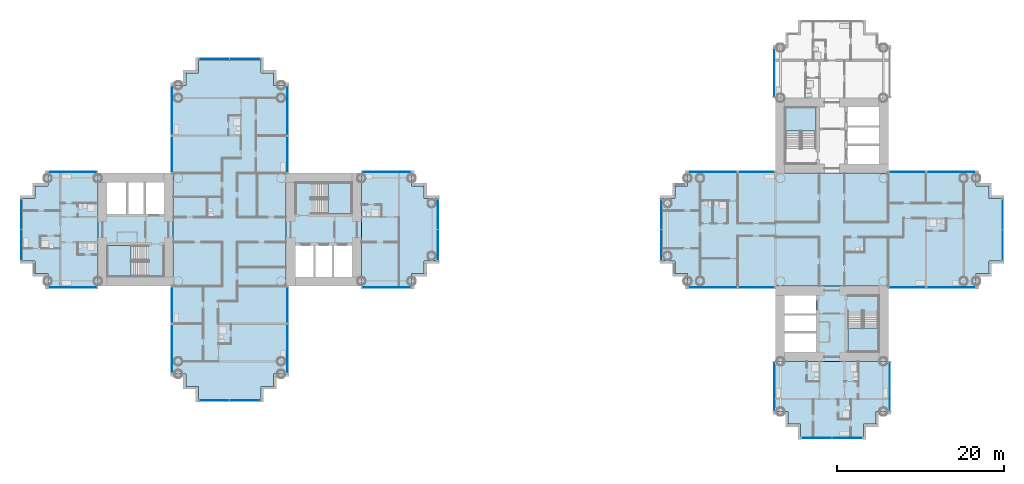
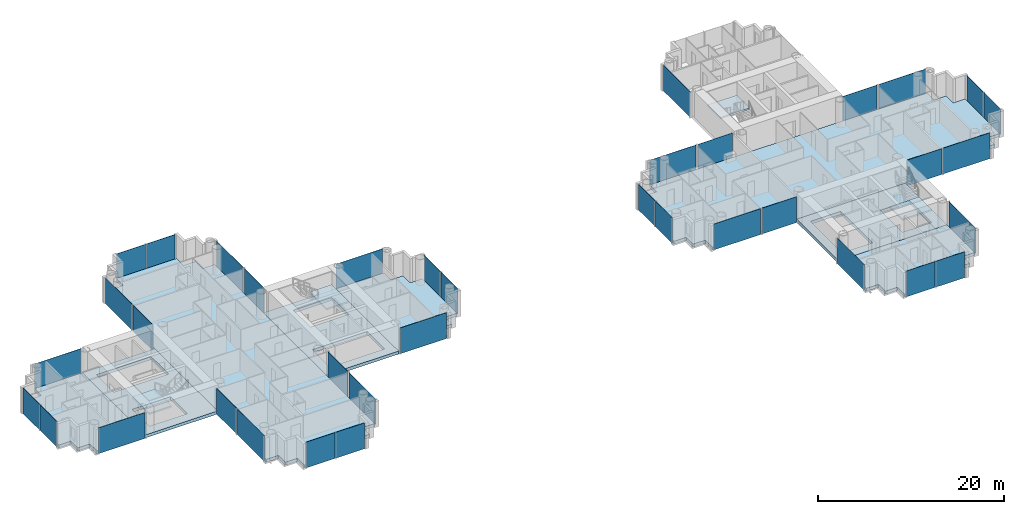
# One storey, part 7 of 22: 37 plates, 12 slabs, 34 elements without a shape of their own.
"""IFC4 building model written with IfcOpenShell, lengths in metres."""

from ifc_helpers import new_model, si_unit, direction, frame, origin, origin_2d, place, context, subcontext, project, spatial, polyline, rectangle, outline, extrude, material, layer, layer_set, type_object, element, aggregate, save


model = new_model("IFC4")

# Units and contexts
model_context = context("Model", 3, precision=1e-05, world=origin(), true_north=direction((0.0, 1.0)))
body_context = subcontext(model_context, "Body", "Model", "MODEL_VIEW")
ifc_project = project(units=[si_unit("LENGTHUNIT", "METRE"), si_unit("AREAUNIT", "SQUARE_METRE"), si_unit("VOLUMEUNIT", "CUBIC_METRE"), si_unit("PLANEANGLEUNIT", "RADIAN"), si_unit("MASSUNIT", "GRAM", prefix="KILO")], contexts=[model_context])

# Site, building, storey
site_placement = place(None, origin())
site = spatial("IfcSite", under=ifc_project, at=site_placement, CompositionType="ELEMENT")
building_placement = place(site_placement, origin())
building = spatial("IfcBuilding", under=site, at=building_placement, Name="Ipe Terrace Towers", CompositionType="ELEMENT")
storey_placement = place(building_placement, frame((0.0, 0.0, 55.10009765625)))
storey = spatial("IfcBuildingStorey", under=building, at=storey_placement, Name="L14", CompositionType="ELEMENT", Elevation=55.10009765625)

# Slabs
ifc_material_1 = material(Name="Concrete C30/37", Category="concrete")
ifc_layer_1 = layer(ifc_material_1, 0.39990234375)
ifc_layer_set_1 = layer_set([ifc_layer_1], Name="CORE FLOOR SLAB 400 C30-37")
slab_type_1 = type_object("IfcSlabType", Name="CORE FLOOR SLAB 400 C30-37", PredefinedType="FLOOR", material=ifc_layer_set_1)
slab_1_placement = place(storey_placement, frame((0.0, 0.0, -0.400146484375)))
element("IfcSlab", 1, at=slab_1_placement, inside=storey, type_object=slab_type_1, Name="Core floor T1-C1", PredefinedType="FLOOR", context=body_context, shape_type="SweptSolid", body=[
    extrude(outline(polyline([(-29.25, -6.75), (-29.25, 6.75), (-20.25, 6.75), (-20.25, -6.75), (-29.25, -6.75)]), holes=[polyline([(-28.14990234375, -5.64990234375), (-21.35009765625, -5.64990234375), (-21.35009765625, -1.89990234375), (-28.14990234375, -1.89990234375), (-28.14990234375, -5.64990234375)]), polyline([(-26.199951171875, 5.550048828125), (-26.199951171875, 1.89990234375), (-21.449951171875, 1.89990234375), (-21.449951171875, 5.550048828125), (-26.199951171875, 5.550048828125)])]), origin(), (0.0, 0.0, 1.0), 0.400146484375),
])
slab_2_placement = place(storey_placement, frame((0.0, 0.0, -0.400146484375)))
element("IfcSlab", 2, at=slab_2_placement, inside=storey, type_object=slab_type_1, Name="Core floor T1-C2", PredefinedType="FLOOR", context=body_context, shape_type="SweptSolid", body=[
    extrude(outline(polyline([(-51.75, -6.75), (-51.75, 6.75), (-42.75, 6.75), (-42.75, -6.75), (-51.75, -6.75)]), holes=[polyline([(-45.800048828125, -5.550048828125), (-45.800048828125, -1.89990234375), (-50.550048828125, -1.89990234375), (-50.550048828125, -5.550048828125), (-45.800048828125, -5.550048828125)]), polyline([(-50.64990234375, 1.89990234375), (-43.85009765625, 1.89990234375), (-43.85009765625, 5.64990234375), (-50.64990234375, 5.64990234375), (-50.64990234375, 1.89990234375)])]), origin(), (0.0, 0.0, 1.0), 0.400146484375),
])
slab_3_placement = place(storey_placement, frame((0.0, 0.0, -0.400146484375)))
element("IfcSlab", 3, at=slab_3_placement, inside=storey, type_object=slab_type_1, Name="Core floor T2-C2", PredefinedType="FLOOR", context=body_context, shape_type="SweptSolid", body=[
    extrude(outline(polyline([(29.25, -15.75), (29.25, -6.75), (42.75, -6.75), (42.75, -15.75), (29.25, -15.75)]), holes=[polyline([(34.10009765625, -14.64990234375), (34.10009765625, -7.85009765625), (30.35009765625, -7.85009765625), (30.35009765625, -14.64990234375), (34.10009765625, -14.64990234375)]), polyline([(41.550048828125, -9.800048828125), (37.89990234375, -9.800048828125), (37.89990234375, -14.550048828125), (41.550048828125, -14.550048828125), (41.550048828125, -9.800048828125)])]), origin(), (0.0, 0.0, 1.0), 0.400146484375),
])

# Stair, slab
ifc_material_2 = material(Name="Concrete C30/37", Category="concrete")
stair_type = type_object("IfcStairType", Name="Protected exit stair", PredefinedType="HALF_TURN_STAIR", material=ifc_material_2)
stair_1_placement = place(storey_placement, origin())
stair_1 = element("IfcStair", 4, at=stair_1_placement, inside=storey, type_object=stair_type, Name="L14 Exit stair T1-C1", PredefinedType="HALF_TURN_STAIR")
ifc_material_3 = material(Name="Concrete C30/37", Category="concrete")
ifc_layer_2 = layer(ifc_material_3, 0.199951171875)
ifc_layer_set_2 = layer_set([ifc_layer_2], Name="Exit stair landing 200")
slab_type_2 = type_object("IfcSlabType", Name="Exit stair landing 200", PredefinedType="LANDING", material=ifc_layer_set_2)
slab_4_placement = place(storey_placement, frame((0.0, 0.0, 1.5)))
slab_4 = element("IfcSlab", 5, at=slab_4_placement, type_object=slab_type_2, Name="T1-ST1 landing 1", PredefinedType="LANDING", context=body_context, shape_type="SweptSolid", body=[
    extrude(outline(polyline([(-24.219970703125, 1.89990234375), (-21.449951171875, 1.89990234375), (-21.449951171875, 5.550048828125), (-24.219970703125, 5.550048828125), (-24.219970703125, 1.89990234375)])), origin(), (0.0, 0.0, 1.0), 0.199951171875),
])
aggregate(stair_1, [slab_4])

stair_2_placement = place(storey_placement, origin())
stair_2 = element("IfcStair", 6, at=stair_2_placement, inside=storey, type_object=stair_type, Name="L14 Exit stair T1-C2", PredefinedType="HALF_TURN_STAIR")
slab_5_placement = place(storey_placement, frame((0.0, 0.0, 1.5)))
slab_5 = element("IfcSlab", 7, at=slab_5_placement, type_object=slab_type_2, Name="T1-ST2 landing 1", PredefinedType="LANDING", context=body_context, shape_type="SweptSolid", body=[
    extrude(outline(polyline([(-47.780029296875, -1.89990234375), (-50.550048828125, -1.89990234375), (-50.550048828125, -5.550048828125), (-47.780029296875, -5.550048828125), (-47.780029296875, -1.89990234375)])), origin(), (0.0, 0.0, 1.0), 0.199951171875),
])
aggregate(stair_2, [slab_5])

stair_3_placement = place(storey_placement, origin())
stair_3 = element("IfcStair", 8, at=stair_3_placement, inside=storey, type_object=stair_type, Name="L14 Exit stair T2-C1", PredefinedType="HALF_TURN_STAIR")
slab_6_placement = place(storey_placement, frame((0.0, 0.0, 1.5)))
slab_6 = element("IfcSlab", 9, at=slab_6_placement, type_object=slab_type_2, Name="T2-ST1 landing 1", PredefinedType="LANDING", context=body_context, shape_type="SweptSolid", body=[
    extrude(outline(polyline([(34.10009765625, 11.780029296875), (34.10009765625, 14.550048828125), (30.449951171875, 14.550048828125), (30.449951171875, 11.780029296875), (34.10009765625, 11.780029296875)])), origin(), (0.0, 0.0, 1.0), 0.199951171875),
])
aggregate(stair_3, [slab_6])

stair_4_placement = place(storey_placement, origin())
stair_4 = element("IfcStair", 10, at=stair_4_placement, inside=storey, type_object=stair_type, Name="L14 Exit stair T2-C2", PredefinedType="HALF_TURN_STAIR")
slab_7_placement = place(storey_placement, frame((0.0, 0.0, 1.5)))
slab_7 = element("IfcSlab", 11, at=slab_7_placement, type_object=slab_type_2, Name="T2-ST2 landing 1", PredefinedType="LANDING", context=body_context, shape_type="SweptSolid", body=[
    extrude(outline(polyline([(37.89990234375, -11.780029296875), (37.89990234375, -14.550048828125), (41.550048828125, -14.550048828125), (41.550048828125, -11.780029296875), (37.89990234375, -11.780029296875)])), origin(), (0.0, 0.0, 1.0), 0.199951171875),
])
aggregate(stair_4, [slab_7])

# Slabs
ifc_material_4 = material(Name="Concrete C40/50", Category="concrete")
ifc_layer_3 = layer(ifc_material_4, 0.39990234375)
ifc_layer_set_3 = layer_set([ifc_layer_3], Name="FLAT PLATE SLAB 400 C40-50")
slab_type_3 = type_object("IfcSlabType", Name="FLAT PLATE SLAB 400 C40-50", PredefinedType="FLOOR", material=ifc_layer_set_3)
slab_8_placement = place(storey_placement, frame((0.0, 0.0, -0.400146484375)))
element("IfcSlab", 12, at=slab_8_placement, inside=storey, type_object=slab_type_3, Name="Slab T1-FS-Z11", PredefinedType="FLOOR", context=body_context, shape_type="SweptSolid", body=[
    extrude(outline(polyline([(-30.75, -17.25), (-30.75, -18.75), (-32.25, -18.75), (-32.25, -20.25), (-39.75, -20.25), (-39.75, -18.75), (-41.25, -18.75), (-41.25, -17.25), (-42.75, -17.25), (-42.75, -6.75), (-42.75, 6.75), (-42.75, 17.25), (-41.25, 17.25), (-41.25, 18.75), (-39.75, 18.75), (-39.75, 20.25), (-32.25, 20.25), (-32.25, 18.75), (-30.75, 18.75), (-30.75, 17.25), (-29.25, 17.25), (-29.25, 6.75), (-29.25, -6.75), (-29.25, -17.25), (-30.75, -17.25)])), origin(), (0.0, 0.0, 1.0), 0.400146484375),
])
slab_9_placement = place(storey_placement, frame((0.0, 0.0, -0.400146484375)))
element("IfcSlab", 13, at=slab_9_placement, inside=storey, type_object=slab_type_3, Name="Slab T1-FS-Z12", PredefinedType="FLOOR", context=body_context, shape_type="SweptSolid", body=[
    extrude(outline(polyline([(-57.75, -6.75), (-57.75, -5.25), (-59.25, -5.25), (-59.25, -3.75), (-60.75, -3.75), (-60.75, 3.75), (-59.25, 3.75), (-59.25, 5.25), (-57.75, 5.25), (-57.75, 6.75), (-51.75, 6.75), (-51.75, -6.75), (-57.75, -6.75)])), origin(), (0.0, 0.0, 1.0), 0.400146484375),
])
slab_10_placement = place(storey_placement, frame((0.0, 0.0, -0.400146484375)))
element("IfcSlab", 14, at=slab_10_placement, inside=storey, type_object=slab_type_3, Name="Slab T1-FS-Z13", PredefinedType="FLOOR", context=body_context, shape_type="SweptSolid", body=[
    extrude(outline(polyline([(-14.25, 5.25), (-12.75, 5.25), (-12.75, 3.75), (-11.25, 3.75), (-11.25, -3.75), (-12.75, -3.75), (-12.75, -5.25), (-14.25, -5.25), (-14.25, -6.75), (-20.25, -6.75), (-20.25, 6.75), (-14.25, 6.75), (-14.25, 5.25)])), origin(), (0.0, 0.0, 1.0), 0.400146484375),
])
slab_11_placement = place(storey_placement, frame((0.0, 0.0, -0.400146484375)))
element("IfcSlab", 15, at=slab_11_placement, inside=storey, type_object=slab_type_3, Name="Slab T2-FS-Z11", PredefinedType="FLOOR", context=body_context, shape_type="SweptSolid", body=[
    extrude(outline(polyline([(53.25, 5.25), (54.75, 5.25), (54.75, 3.75), (56.25, 3.75), (56.25, -3.75), (54.75, -3.75), (54.75, -5.25), (53.25, -5.25), (53.25, -6.75), (42.75, -6.75), (29.25, -6.75), (18.75, -6.75), (18.75, -5.25), (17.25, -5.25), (17.25, -3.75), (15.75, -3.75), (15.75, 3.75), (17.25, 3.75), (17.25, 5.25), (18.75, 5.25), (18.75, 6.75), (29.25, 6.75), (42.75, 6.75), (53.25, 6.75), (53.25, 5.25)])), origin(), (0.0, 0.0, 1.0), 0.400146484375),
])
slab_12_placement = place(storey_placement, frame((0.0, 0.0, -0.400146484375)))
element("IfcSlab", 16, at=slab_12_placement, inside=storey, type_object=slab_type_3, Name="Slab T2-FS-Z12", PredefinedType="FLOOR", context=body_context, shape_type="SweptSolid", body=[
    extrude(outline(polyline([(42.75, -21.75), (41.25, -21.75), (41.25, -23.25), (39.75, -23.25), (39.75, -24.75), (32.25, -24.75), (32.25, -23.25), (30.75, -23.25), (30.75, -21.75), (29.25, -21.75), (29.25, -15.75), (42.75, -15.75), (42.75, -21.75)])), origin(), (0.0, 0.0, 1.0), 0.400146484375),
])

# Curtain wall, plate
ifc_material_5 = material(Name="Aluminium alloy 6063-T6", Category="aluminium")
ifc_layer_4 = layer(ifc_material_5, 0.320068359375)
ifc_layer_set_4 = layer_set([ifc_layer_4], Name="TOWER UNITISED CURTAIN WALL")
curtain_wall_type = type_object("IfcCurtainWallType", Name="TOWER UNITISED CURTAIN WALL", PredefinedType="NOTDEFINED", material=ifc_layer_set_4)
curtain_wall_1_placement = place(storey_placement, origin())
curtain_wall_1 = element("IfcCurtainWall", 17, at=curtain_wall_1_placement, inside=storey, type_object=curtain_wall_type, Name="T1-CW-L14-04a curtain wall", PredefinedType="NOTDEFINED")
ifc_material_6 = material(Name="Glass, clear laminated", Category="glass")
ifc_layer_5 = layer(ifc_material_6, 0.031982421875)
ifc_layer_set_5 = layer_set([ifc_layer_5], Name="TOWER UNITISED GLASS PANEL 32")
plate_type = type_object("IfcPlateType", Name="TOWER UNITISED GLASS PANEL 32", PredefinedType="CURTAIN_PANEL", material=ifc_layer_set_5)
plate_1_placement = place(storey_placement, frame((-54.75048828125, -6.909912109375, -0.300048828125), z_axis=(0.0, 0.0, 1.0), x_axis=(1.0, 0.0, 0.0)))
plate_1 = element("IfcPlate", 18, at=plate_1_placement, type_object=plate_type, Name="T1-CW-L14-04a panel 1", PredefinedType="CURTAIN_PANEL", context=body_context, shape_type="SweptSolid", body=[
    extrude(rectangle(XDim=5.759033203125, YDim=0.031982421875, at=origin_2d()), origin(), (0.0, 0.0, 1.0), 3.39990234375),
])
aggregate(curtain_wall_1, [plate_1])

curtain_wall_2_placement = place(storey_placement, origin())
curtain_wall_2 = element("IfcCurtainWall", 19, at=curtain_wall_2_placement, inside=storey, type_object=curtain_wall_type, Name="T1-CW-L14-06a curtain wall", PredefinedType="NOTDEFINED")
plate_2_placement = place(storey_placement, frame((-42.909912109375, -9.0, -0.300048828125), z_axis=(0.0, 0.0, 1.0), x_axis=(0.0, -1.0, 0.0)))
plate_2 = element("IfcPlate", 20, at=plate_2_placement, type_object=plate_type, Name="T1-CW-L14-06a panel 1", PredefinedType="CURTAIN_PANEL", context=body_context, shape_type="SweptSolid", body=[
    extrude(rectangle(XDim=4.260009765625, YDim=0.031982421875, at=origin_2d()), origin(), (0.0, 0.0, 1.0), 3.39990234375),
])
aggregate(curtain_wall_2, [plate_2])

curtain_wall_3_placement = place(storey_placement, origin())
curtain_wall_3 = element("IfcCurtainWall", 21, at=curtain_wall_3_placement, inside=storey, type_object=curtain_wall_type, Name="T1-CW-L14-07a curtain wall", PredefinedType="NOTDEFINED")
plate_3_placement = place(storey_placement, frame((-42.909912109375, -14.25, -0.300048828125), z_axis=(0.0, 0.0, 1.0), x_axis=(0.0, -1.0, 0.0)))
plate_3 = element("IfcPlate", 22, at=plate_3_placement, type_object=plate_type, Name="T1-CW-L14-07a panel 1", PredefinedType="CURTAIN_PANEL", context=body_context, shape_type="SweptSolid", body=[
    extrude(rectangle(XDim=5.760009765625, YDim=0.031982421875, at=origin_2d()), origin(), (0.0, 0.0, 1.0), 3.39990234375),
])
aggregate(curtain_wall_3, [plate_3])

# Curtain wall, plates
curtain_wall_4_placement = place(storey_placement, origin())
curtain_wall_4 = element("IfcCurtainWall", 23, at=curtain_wall_4_placement, inside=storey, type_object=curtain_wall_type, Name="T1-CW-L14-12a curtain wall", PredefinedType="NOTDEFINED")
plate_4_placement = place(storey_placement, frame((-37.831298828125, -20.409912109375, -0.300048828125), z_axis=(0.0, 0.0, 1.0), x_axis=(1.0, 0.0, 0.0)))
plate_4 = element("IfcPlate", 24, at=plate_4_placement, type_object=plate_type, Name="T1-CW-L14-12a panel 1", PredefinedType="CURTAIN_PANEL", context=body_context, shape_type="SweptSolid", body=[
    extrude(rectangle(XDim=3.597412109375, YDim=0.031982421875, at=origin_2d()), origin(), (0.0, 0.0, 1.0), 3.39990234375),
])
plate_5_placement = place(storey_placement, frame((-34.168701171875, -20.409912109375, -0.300048828125), z_axis=(0.0, 0.0, 1.0), x_axis=(1.0, 0.0, 0.0)))
plate_5 = element("IfcPlate", 25, at=plate_5_placement, type_object=plate_type, Name="T1-CW-L14-12a panel 2", PredefinedType="CURTAIN_PANEL", context=body_context, shape_type="SweptSolid", body=[
    extrude(rectangle(XDim=3.597412109375, YDim=0.031982421875, at=origin_2d()), origin(), (0.0, 0.0, 1.0), 3.39990234375),
])
aggregate(curtain_wall_4, [plate_4, plate_5])

# Curtain wall, plate
curtain_wall_5_placement = place(storey_placement, origin())
curtain_wall_5 = element("IfcCurtainWall", 26, at=curtain_wall_5_placement, inside=storey, type_object=curtain_wall_type, Name="T1-CW-L14-17a curtain wall", PredefinedType="NOTDEFINED")
plate_6_placement = place(storey_placement, frame((-29.090087890625, -14.25, -0.300048828125), z_axis=(0.0, 0.0, 1.0), x_axis=(0.0, 1.0, 0.0)))
plate_6 = element("IfcPlate", 27, at=plate_6_placement, type_object=plate_type, Name="T1-CW-L14-17a panel 1", PredefinedType="CURTAIN_PANEL", context=body_context, shape_type="SweptSolid", body=[
    extrude(rectangle(XDim=5.760009765625, YDim=0.031982421875, at=origin_2d()), origin(), (0.0, 0.0, 1.0), 3.39990234375),
])
aggregate(curtain_wall_5, [plate_6])

curtain_wall_6_placement = place(storey_placement, origin())
curtain_wall_6 = element("IfcCurtainWall", 28, at=curtain_wall_6_placement, inside=storey, type_object=curtain_wall_type, Name="T1-CW-L14-18a curtain wall", PredefinedType="NOTDEFINED")
plate_7_placement = place(storey_placement, frame((-29.090087890625, -9.0, -0.300048828125), z_axis=(0.0, 0.0, 1.0), x_axis=(0.0, 1.0, 0.0)))
plate_7 = element("IfcPlate", 29, at=plate_7_placement, type_object=plate_type, Name="T1-CW-L14-18a panel 1", PredefinedType="CURTAIN_PANEL", context=body_context, shape_type="SweptSolid", body=[
    extrude(rectangle(XDim=4.260009765625, YDim=0.031982421875, at=origin_2d()), origin(), (0.0, 0.0, 1.0), 3.39990234375),
])
aggregate(curtain_wall_6, [plate_7])

curtain_wall_7_placement = place(storey_placement, origin())
curtain_wall_7 = element("IfcCurtainWall", 30, at=curtain_wall_7_placement, inside=storey, type_object=curtain_wall_type, Name="T1-CW-L14-20b curtain wall", PredefinedType="NOTDEFINED")
plate_8_placement = place(storey_placement, frame((-17.24951171875, -6.909912109375, -0.300048828125), z_axis=(0.0, 0.0, 1.0), x_axis=(1.0, 0.0, 0.0)))
plate_8 = element("IfcPlate", 31, at=plate_8_placement, type_object=plate_type, Name="T1-CW-L14-20b panel 1", PredefinedType="CURTAIN_PANEL", context=body_context, shape_type="SweptSolid", body=[
    extrude(rectangle(XDim=5.759033203125, YDim=0.031982421875, at=origin_2d()), origin(), (0.0, 0.0, 1.0), 3.39990234375),
])
aggregate(curtain_wall_7, [plate_8])

# Curtain wall, plates
curtain_wall_8_placement = place(storey_placement, origin())
curtain_wall_8 = element("IfcCurtainWall", 32, at=curtain_wall_8_placement, inside=storey, type_object=curtain_wall_type, Name="T1-CW-L14-25a curtain wall", PredefinedType="NOTDEFINED")
plate_9_placement = place(storey_placement, frame((-11.090087890625, -1.831298828125, -0.300048828125), z_axis=(0.0, 0.0, 1.0), x_axis=(0.0, 1.0, 0.0)))
plate_9 = element("IfcPlate", 33, at=plate_9_placement, type_object=plate_type, Name="T1-CW-L14-25a panel 1", PredefinedType="CURTAIN_PANEL", context=body_context, shape_type="SweptSolid", body=[
    extrude(rectangle(XDim=3.597412109375, YDim=0.031982421875, at=origin_2d()), origin(), (0.0, 0.0, 1.0), 3.39990234375),
])
plate_10_placement = place(storey_placement, frame((-11.090087890625, 1.831298828125, -0.300048828125), z_axis=(0.0, 0.0, 1.0), x_axis=(0.0, 1.0, 0.0)))
plate_10 = element("IfcPlate", 34, at=plate_10_placement, type_object=plate_type, Name="T1-CW-L14-25a panel 2", PredefinedType="CURTAIN_PANEL", context=body_context, shape_type="SweptSolid", body=[
    extrude(rectangle(XDim=3.597412109375, YDim=0.031982421875, at=origin_2d()), origin(), (0.0, 0.0, 1.0), 3.39990234375),
])
aggregate(curtain_wall_8, [plate_9, plate_10])

# Curtain wall, plate
curtain_wall_9_placement = place(storey_placement, origin())
curtain_wall_9 = element("IfcCurtainWall", 35, at=curtain_wall_9_placement, inside=storey, type_object=curtain_wall_type, Name="T1-CW-L14-30a curtain wall", PredefinedType="NOTDEFINED")
plate_11_placement = place(storey_placement, frame((-17.24951171875, 6.909912109375, -0.300048828125), z_axis=(0.0, 0.0, 1.0), x_axis=(-1.0, 0.0, 0.0)))
plate_11 = element("IfcPlate", 36, at=plate_11_placement, type_object=plate_type, Name="T1-CW-L14-30a panel 1", PredefinedType="CURTAIN_PANEL", context=body_context, shape_type="SweptSolid", body=[
    extrude(rectangle(XDim=5.759033203125, YDim=0.031982421875, at=origin_2d()), origin(), (0.0, 0.0, 1.0), 3.39990234375),
])
aggregate(curtain_wall_9, [plate_11])

curtain_wall_10_placement = place(storey_placement, origin())
curtain_wall_10 = element("IfcCurtainWall", 37, at=curtain_wall_10_placement, inside=storey, type_object=curtain_wall_type, Name="T1-CW-L14-32a curtain wall", PredefinedType="NOTDEFINED")
plate_12_placement = place(storey_placement, frame((-29.090087890625, 9.0, -0.300048828125), z_axis=(0.0, 0.0, 1.0), x_axis=(0.0, 1.0, 0.0)))
plate_12 = element("IfcPlate", 38, at=plate_12_placement, type_object=plate_type, Name="T1-CW-L14-32a panel 1", PredefinedType="CURTAIN_PANEL", context=body_context, shape_type="SweptSolid", body=[
    extrude(rectangle(XDim=4.260009765625, YDim=0.031982421875, at=origin_2d()), origin(), (0.0, 0.0, 1.0), 3.39990234375),
])
aggregate(curtain_wall_10, [plate_12])

curtain_wall_11_placement = place(storey_placement, origin())
curtain_wall_11 = element("IfcCurtainWall", 39, at=curtain_wall_11_placement, inside=storey, type_object=curtain_wall_type, Name="T1-CW-L14-33a curtain wall", PredefinedType="NOTDEFINED")
plate_13_placement = place(storey_placement, frame((-29.090087890625, 14.25, -0.300048828125), z_axis=(0.0, 0.0, 1.0), x_axis=(0.0, 1.0, 0.0)))
plate_13 = element("IfcPlate", 40, at=plate_13_placement, type_object=plate_type, Name="T1-CW-L14-33a panel 1", PredefinedType="CURTAIN_PANEL", context=body_context, shape_type="SweptSolid", body=[
    extrude(rectangle(XDim=5.760009765625, YDim=0.031982421875, at=origin_2d()), origin(), (0.0, 0.0, 1.0), 3.39990234375),
])
aggregate(curtain_wall_11, [plate_13])

# Curtain wall, plates
curtain_wall_12_placement = place(storey_placement, origin())
curtain_wall_12 = element("IfcCurtainWall", 41, at=curtain_wall_12_placement, inside=storey, type_object=curtain_wall_type, Name="T1-CW-L14-38a curtain wall", PredefinedType="NOTDEFINED")
plate_14_placement = place(storey_placement, frame((-34.168701171875, 20.409912109375, -0.300048828125), z_axis=(0.0, 0.0, 1.0), x_axis=(-1.0, 0.0, 0.0)))
plate_14 = element("IfcPlate", 42, at=plate_14_placement, type_object=plate_type, Name="T1-CW-L14-38a panel 1", PredefinedType="CURTAIN_PANEL", context=body_context, shape_type="SweptSolid", body=[
    extrude(rectangle(XDim=3.597412109375, YDim=0.031982421875, at=origin_2d()), origin(), (0.0, 0.0, 1.0), 3.39990234375),
])
plate_15_placement = place(storey_placement, frame((-37.831298828125, 20.409912109375, -0.300048828125), z_axis=(0.0, 0.0, 1.0), x_axis=(-1.0, 0.0, 0.0)))
plate_15 = element("IfcPlate", 43, at=plate_15_placement, type_object=plate_type, Name="T1-CW-L14-38a panel 2", PredefinedType="CURTAIN_PANEL", context=body_context, shape_type="SweptSolid", body=[
    extrude(rectangle(XDim=3.597412109375, YDim=0.031982421875, at=origin_2d()), origin(), (0.0, 0.0, 1.0), 3.39990234375),
])
aggregate(curtain_wall_12, [plate_14, plate_15])

# Curtain wall, plate
curtain_wall_13_placement = place(storey_placement, origin())
curtain_wall_13 = element("IfcCurtainWall", 44, at=curtain_wall_13_placement, inside=storey, type_object=curtain_wall_type, Name="T1-CW-L14-43a curtain wall", PredefinedType="NOTDEFINED")
plate_16_placement = place(storey_placement, frame((-42.909912109375, 14.25, -0.300048828125), z_axis=(0.0, 0.0, 1.0), x_axis=(0.0, -1.0, 0.0)))
plate_16 = element("IfcPlate", 45, at=plate_16_placement, type_object=plate_type, Name="T1-CW-L14-43a panel 1", PredefinedType="CURTAIN_PANEL", context=body_context, shape_type="SweptSolid", body=[
    extrude(rectangle(XDim=5.760009765625, YDim=0.031982421875, at=origin_2d()), origin(), (0.0, 0.0, 1.0), 3.39990234375),
])
aggregate(curtain_wall_13, [plate_16])

curtain_wall_14_placement = place(storey_placement, origin())
curtain_wall_14 = element("IfcCurtainWall", 46, at=curtain_wall_14_placement, inside=storey, type_object=curtain_wall_type, Name="T1-CW-L14-44a curtain wall", PredefinedType="NOTDEFINED")
plate_17_placement = place(storey_placement, frame((-42.909912109375, 9.0, -0.300048828125), z_axis=(0.0, 0.0, 1.0), x_axis=(0.0, -1.0, 0.0)))
plate_17 = element("IfcPlate", 47, at=plate_17_placement, type_object=plate_type, Name="T1-CW-L14-44a panel 1", PredefinedType="CURTAIN_PANEL", context=body_context, shape_type="SweptSolid", body=[
    extrude(rectangle(XDim=4.260009765625, YDim=0.031982421875, at=origin_2d()), origin(), (0.0, 0.0, 1.0), 3.39990234375),
])
aggregate(curtain_wall_14, [plate_17])

curtain_wall_15_placement = place(storey_placement, origin())
curtain_wall_15 = element("IfcCurtainWall", 48, at=curtain_wall_15_placement, inside=storey, type_object=curtain_wall_type, Name="T1-CW-L14-46b curtain wall", PredefinedType="NOTDEFINED")
plate_18_placement = place(storey_placement, frame((-54.75048828125, 6.909912109375, -0.300048828125), z_axis=(0.0, 0.0, 1.0), x_axis=(-1.0, 0.0, 0.0)))
plate_18 = element("IfcPlate", 49, at=plate_18_placement, type_object=plate_type, Name="T1-CW-L14-46b panel 1", PredefinedType="CURTAIN_PANEL", context=body_context, shape_type="SweptSolid", body=[
    extrude(rectangle(XDim=5.759033203125, YDim=0.031982421875, at=origin_2d()), origin(), (0.0, 0.0, 1.0), 3.39990234375),
])
aggregate(curtain_wall_15, [plate_18])

# Curtain wall, plates
curtain_wall_16_placement = place(storey_placement, origin())
curtain_wall_16 = element("IfcCurtainWall", 50, at=curtain_wall_16_placement, inside=storey, type_object=curtain_wall_type, Name="T1-CW-L14-51a curtain wall", PredefinedType="NOTDEFINED")
plate_19_placement = place(storey_placement, frame((-60.909912109375, 1.831298828125, -0.300048828125), z_axis=(0.0, 0.0, 1.0), x_axis=(0.0, -1.0, 0.0)))
plate_19 = element("IfcPlate", 51, at=plate_19_placement, type_object=plate_type, Name="T1-CW-L14-51a panel 1", PredefinedType="CURTAIN_PANEL", context=body_context, shape_type="SweptSolid", body=[
    extrude(rectangle(XDim=3.597412109375, YDim=0.031982421875, at=origin_2d()), origin(), (0.0, 0.0, 1.0), 3.39990234375),
])
plate_20_placement = place(storey_placement, frame((-60.909912109375, -1.831298828125, -0.300048828125), z_axis=(0.0, 0.0, 1.0), x_axis=(0.0, -1.0, 0.0)))
plate_20 = element("IfcPlate", 52, at=plate_20_placement, type_object=plate_type, Name="T1-CW-L14-51a panel 2", PredefinedType="CURTAIN_PANEL", context=body_context, shape_type="SweptSolid", body=[
    extrude(rectangle(XDim=3.597412109375, YDim=0.031982421875, at=origin_2d()), origin(), (0.0, 0.0, 1.0), 3.39990234375),
])
aggregate(curtain_wall_16, [plate_19, plate_20])

# Curtain wall, plate
curtain_wall_17_placement = place(storey_placement, origin())
curtain_wall_17 = element("IfcCurtainWall", 53, at=curtain_wall_17_placement, inside=storey, type_object=curtain_wall_type, Name="T2-CW-L14-04a curtain wall", PredefinedType="NOTDEFINED")
plate_21_placement = place(storey_placement, frame((42.909912109375, -18.75048828125, -0.300048828125), z_axis=(0.0, 0.0, 1.0), x_axis=(0.0, 1.0, 0.0)))
plate_21 = element("IfcPlate", 54, at=plate_21_placement, type_object=plate_type, Name="T2-CW-L14-04a panel 1", PredefinedType="CURTAIN_PANEL", context=body_context, shape_type="SweptSolid", body=[
    extrude(rectangle(XDim=5.759033203125, YDim=0.031982421875, at=origin_2d()), origin(), (0.0, 0.0, 1.0), 3.39990234375),
])
aggregate(curtain_wall_17, [plate_21])

curtain_wall_18_placement = place(storey_placement, origin())
curtain_wall_18 = element("IfcCurtainWall", 55, at=curtain_wall_18_placement, inside=storey, type_object=curtain_wall_type, Name="T2-CW-L14-06a curtain wall", PredefinedType="NOTDEFINED")
plate_22_placement = place(storey_placement, frame((45.0, -6.909912109375, -0.300048828125), z_axis=(0.0, 0.0, 1.0), x_axis=(1.0, 0.0, 0.0)))
plate_22 = element("IfcPlate", 56, at=plate_22_placement, type_object=plate_type, Name="T2-CW-L14-06a panel 1", PredefinedType="CURTAIN_PANEL", context=body_context, shape_type="SweptSolid", body=[
    extrude(rectangle(XDim=4.260009765625, YDim=0.031982421875, at=origin_2d()), origin(), (0.0, 0.0, 1.0), 3.39990234375),
])
aggregate(curtain_wall_18, [plate_22])

curtain_wall_19_placement = place(storey_placement, origin())
curtain_wall_19 = element("IfcCurtainWall", 57, at=curtain_wall_19_placement, inside=storey, type_object=curtain_wall_type, Name="T2-CW-L14-07a curtain wall", PredefinedType="NOTDEFINED")
plate_23_placement = place(storey_placement, frame((50.25, -6.909912109375, -0.300048828125), z_axis=(0.0, 0.0, 1.0), x_axis=(1.0, 0.0, 0.0)))
plate_23 = element("IfcPlate", 58, at=plate_23_placement, type_object=plate_type, Name="T2-CW-L14-07a panel 1", PredefinedType="CURTAIN_PANEL", context=body_context, shape_type="SweptSolid", body=[
    extrude(rectangle(XDim=5.760009765625, YDim=0.031982421875, at=origin_2d()), origin(), (0.0, 0.0, 1.0), 3.39990234375),
])
aggregate(curtain_wall_19, [plate_23])

# Curtain wall, plates
curtain_wall_20_placement = place(storey_placement, origin())
curtain_wall_20 = element("IfcCurtainWall", 59, at=curtain_wall_20_placement, inside=storey, type_object=curtain_wall_type, Name="T2-CW-L14-12a curtain wall", PredefinedType="NOTDEFINED")
plate_24_placement = place(storey_placement, frame((56.409912109375, -1.831298828125, -0.300048828125), z_axis=(0.0, 0.0, 1.0), x_axis=(0.0, 1.0, 0.0)))
plate_24 = element("IfcPlate", 60, at=plate_24_placement, type_object=plate_type, Name="T2-CW-L14-12a panel 1", PredefinedType="CURTAIN_PANEL", context=body_context, shape_type="SweptSolid", body=[
    extrude(rectangle(XDim=3.597412109375, YDim=0.031982421875, at=origin_2d()), origin(), (0.0, 0.0, 1.0), 3.39990234375),
])
plate_25_placement = place(storey_placement, frame((56.409912109375, 1.831298828125, -0.300048828125), z_axis=(0.0, 0.0, 1.0), x_axis=(0.0, 1.0, 0.0)))
plate_25 = element("IfcPlate", 61, at=plate_25_placement, type_object=plate_type, Name="T2-CW-L14-12a panel 2", PredefinedType="CURTAIN_PANEL", context=body_context, shape_type="SweptSolid", body=[
    extrude(rectangle(XDim=3.597412109375, YDim=0.031982421875, at=origin_2d()), origin(), (0.0, 0.0, 1.0), 3.39990234375),
])
aggregate(curtain_wall_20, [plate_24, plate_25])

# Curtain wall, plate
curtain_wall_21_placement = place(storey_placement, origin())
curtain_wall_21 = element("IfcCurtainWall", 62, at=curtain_wall_21_placement, inside=storey, type_object=curtain_wall_type, Name="T2-CW-L14-17a curtain wall", PredefinedType="NOTDEFINED")
plate_26_placement = place(storey_placement, frame((50.25, 6.909912109375, -0.300048828125), z_axis=(0.0, 0.0, 1.0), x_axis=(-1.0, 0.0, 0.0)))
plate_26 = element("IfcPlate", 63, at=plate_26_placement, type_object=plate_type, Name="T2-CW-L14-17a panel 1", PredefinedType="CURTAIN_PANEL", context=body_context, shape_type="SweptSolid", body=[
    extrude(rectangle(XDim=5.760009765625, YDim=0.031982421875, at=origin_2d()), origin(), (0.0, 0.0, 1.0), 3.39990234375),
])
aggregate(curtain_wall_21, [plate_26])

curtain_wall_22_placement = place(storey_placement, origin())
curtain_wall_22 = element("IfcCurtainWall", 64, at=curtain_wall_22_placement, inside=storey, type_object=curtain_wall_type, Name="T2-CW-L14-18a curtain wall", PredefinedType="NOTDEFINED")
plate_27_placement = place(storey_placement, frame((45.0, 6.909912109375, -0.300048828125), z_axis=(0.0, 0.0, 1.0), x_axis=(-1.0, 0.0, 0.0)))
plate_27 = element("IfcPlate", 65, at=plate_27_placement, type_object=plate_type, Name="T2-CW-L14-18a panel 1", PredefinedType="CURTAIN_PANEL", context=body_context, shape_type="SweptSolid", body=[
    extrude(rectangle(XDim=4.260009765625, YDim=0.031982421875, at=origin_2d()), origin(), (0.0, 0.0, 1.0), 3.39990234375),
])
aggregate(curtain_wall_22, [plate_27])

curtain_wall_23_placement = place(storey_placement, origin())
curtain_wall_23 = element("IfcCurtainWall", 66, at=curtain_wall_23_placement, inside=storey, type_object=curtain_wall_type, Name="T2-CW-L14-30a curtain wall", PredefinedType="NOTDEFINED")
plate_28_placement = place(storey_placement, frame((29.090087890625, 18.75048828125, -0.300048828125), z_axis=(0.0, 0.0, 1.0), x_axis=(0.0, -1.0, 0.0)))
plate_28 = element("IfcPlate", 67, at=plate_28_placement, type_object=plate_type, Name="T2-CW-L14-30a panel 1", PredefinedType="CURTAIN_PANEL", context=body_context, shape_type="SweptSolid", body=[
    extrude(rectangle(XDim=5.759033203125, YDim=0.031982421875, at=origin_2d()), origin(), (0.0, 0.0, 1.0), 3.39990234375),
])
aggregate(curtain_wall_23, [plate_28])

curtain_wall_24_placement = place(storey_placement, origin())
curtain_wall_24 = element("IfcCurtainWall", 68, at=curtain_wall_24_placement, inside=storey, type_object=curtain_wall_type, Name="T2-CW-L14-32a curtain wall", PredefinedType="NOTDEFINED")
plate_29_placement = place(storey_placement, frame((27.0, 6.909912109375, -0.300048828125), z_axis=(0.0, 0.0, 1.0), x_axis=(-1.0, 0.0, 0.0)))
plate_29 = element("IfcPlate", 69, at=plate_29_placement, type_object=plate_type, Name="T2-CW-L14-32a panel 1", PredefinedType="CURTAIN_PANEL", context=body_context, shape_type="SweptSolid", body=[
    extrude(rectangle(XDim=4.260009765625, YDim=0.031982421875, at=origin_2d()), origin(), (0.0, 0.0, 1.0), 3.39990234375),
])
aggregate(curtain_wall_24, [plate_29])

curtain_wall_25_placement = place(storey_placement, origin())
curtain_wall_25 = element("IfcCurtainWall", 70, at=curtain_wall_25_placement, inside=storey, type_object=curtain_wall_type, Name="T2-CW-L14-33a curtain wall", PredefinedType="NOTDEFINED")
plate_30_placement = place(storey_placement, frame((21.75, 6.909912109375, -0.300048828125), z_axis=(0.0, 0.0, 1.0), x_axis=(-1.0, 0.0, 0.0)))
plate_30 = element("IfcPlate", 71, at=plate_30_placement, type_object=plate_type, Name="T2-CW-L14-33a panel 1", PredefinedType="CURTAIN_PANEL", context=body_context, shape_type="SweptSolid", body=[
    extrude(rectangle(XDim=5.760009765625, YDim=0.031982421875, at=origin_2d()), origin(), (0.0, 0.0, 1.0), 3.39990234375),
])
aggregate(curtain_wall_25, [plate_30])

# Curtain wall, plates
curtain_wall_26_placement = place(storey_placement, origin())
curtain_wall_26 = element("IfcCurtainWall", 72, at=curtain_wall_26_placement, inside=storey, type_object=curtain_wall_type, Name="T2-CW-L14-38a curtain wall", PredefinedType="NOTDEFINED")
plate_31_placement = place(storey_placement, frame((15.590087890625, 1.831298828125, -0.300048828125), z_axis=(0.0, 0.0, 1.0), x_axis=(0.0, -1.0, 0.0)))
plate_31 = element("IfcPlate", 73, at=plate_31_placement, type_object=plate_type, Name="T2-CW-L14-38a panel 1", PredefinedType="CURTAIN_PANEL", context=body_context, shape_type="SweptSolid", body=[
    extrude(rectangle(XDim=3.597412109375, YDim=0.031982421875, at=origin_2d()), origin(), (0.0, 0.0, 1.0), 3.39990234375),
])
plate_32_placement = place(storey_placement, frame((15.590087890625, -1.831298828125, -0.300048828125), z_axis=(0.0, 0.0, 1.0), x_axis=(0.0, -1.0, 0.0)))
plate_32 = element("IfcPlate", 74, at=plate_32_placement, type_object=plate_type, Name="T2-CW-L14-38a panel 2", PredefinedType="CURTAIN_PANEL", context=body_context, shape_type="SweptSolid", body=[
    extrude(rectangle(XDim=3.597412109375, YDim=0.031982421875, at=origin_2d()), origin(), (0.0, 0.0, 1.0), 3.39990234375),
])
aggregate(curtain_wall_26, [plate_31, plate_32])

# Curtain wall, plate
curtain_wall_27_placement = place(storey_placement, origin())
curtain_wall_27 = element("IfcCurtainWall", 75, at=curtain_wall_27_placement, inside=storey, type_object=curtain_wall_type, Name="T2-CW-L14-43a curtain wall", PredefinedType="NOTDEFINED")
plate_33_placement = place(storey_placement, frame((21.75, -6.909912109375, -0.300048828125), z_axis=(0.0, 0.0, 1.0), x_axis=(1.0, 0.0, 0.0)))
plate_33 = element("IfcPlate", 76, at=plate_33_placement, type_object=plate_type, Name="T2-CW-L14-43a panel 1", PredefinedType="CURTAIN_PANEL", context=body_context, shape_type="SweptSolid", body=[
    extrude(rectangle(XDim=5.760009765625, YDim=0.031982421875, at=origin_2d()), origin(), (0.0, 0.0, 1.0), 3.39990234375),
])
aggregate(curtain_wall_27, [plate_33])

curtain_wall_28_placement = place(storey_placement, origin())
curtain_wall_28 = element("IfcCurtainWall", 77, at=curtain_wall_28_placement, inside=storey, type_object=curtain_wall_type, Name="T2-CW-L14-44a curtain wall", PredefinedType="NOTDEFINED")
plate_34_placement = place(storey_placement, frame((27.0, -6.909912109375, -0.300048828125), z_axis=(0.0, 0.0, 1.0), x_axis=(1.0, 0.0, 0.0)))
plate_34 = element("IfcPlate", 78, at=plate_34_placement, type_object=plate_type, Name="T2-CW-L14-44a panel 1", PredefinedType="CURTAIN_PANEL", context=body_context, shape_type="SweptSolid", body=[
    extrude(rectangle(XDim=4.260009765625, YDim=0.031982421875, at=origin_2d()), origin(), (0.0, 0.0, 1.0), 3.39990234375),
])
aggregate(curtain_wall_28, [plate_34])

curtain_wall_29_placement = place(storey_placement, origin())
curtain_wall_29 = element("IfcCurtainWall", 79, at=curtain_wall_29_placement, inside=storey, type_object=curtain_wall_type, Name="T2-CW-L14-46b curtain wall", PredefinedType="NOTDEFINED")
plate_35_placement = place(storey_placement, frame((29.090087890625, -18.75048828125, -0.300048828125), z_axis=(0.0, 0.0, 1.0), x_axis=(0.0, -1.0, 0.0)))
plate_35 = element("IfcPlate", 80, at=plate_35_placement, type_object=plate_type, Name="T2-CW-L14-46b panel 1", PredefinedType="CURTAIN_PANEL", context=body_context, shape_type="SweptSolid", body=[
    extrude(rectangle(XDim=5.759033203125, YDim=0.031982421875, at=origin_2d()), origin(), (0.0, 0.0, 1.0), 3.39990234375),
])
aggregate(curtain_wall_29, [plate_35])

# Curtain wall, plates
curtain_wall_30_placement = place(storey_placement, origin())
curtain_wall_30 = element("IfcCurtainWall", 81, at=curtain_wall_30_placement, inside=storey, type_object=curtain_wall_type, Name="T2-CW-L14-51a curtain wall", PredefinedType="NOTDEFINED")
plate_36_placement = place(storey_placement, frame((34.168701171875, -24.909912109375, -0.300048828125), z_axis=(0.0, 0.0, 1.0), x_axis=(1.0, 0.0, 0.0)))
plate_36 = element("IfcPlate", 82, at=plate_36_placement, type_object=plate_type, Name="T2-CW-L14-51a panel 1", PredefinedType="CURTAIN_PANEL", context=body_context, shape_type="SweptSolid", body=[
    extrude(rectangle(XDim=3.597412109375, YDim=0.031982421875, at=origin_2d()), origin(), (0.0, 0.0, 1.0), 3.39990234375),
])
plate_37_placement = place(storey_placement, frame((37.831298828125, -24.909912109375, -0.300048828125), z_axis=(0.0, 0.0, 1.0), x_axis=(1.0, 0.0, 0.0)))
plate_37 = element("IfcPlate", 83, at=plate_37_placement, type_object=plate_type, Name="T2-CW-L14-51a panel 2", PredefinedType="CURTAIN_PANEL", context=body_context, shape_type="SweptSolid", body=[
    extrude(rectangle(XDim=3.597412109375, YDim=0.031982421875, at=origin_2d()), origin(), (0.0, 0.0, 1.0), 3.39990234375),
])
aggregate(curtain_wall_30, [plate_36, plate_37])

save(model, "model.ifc")
